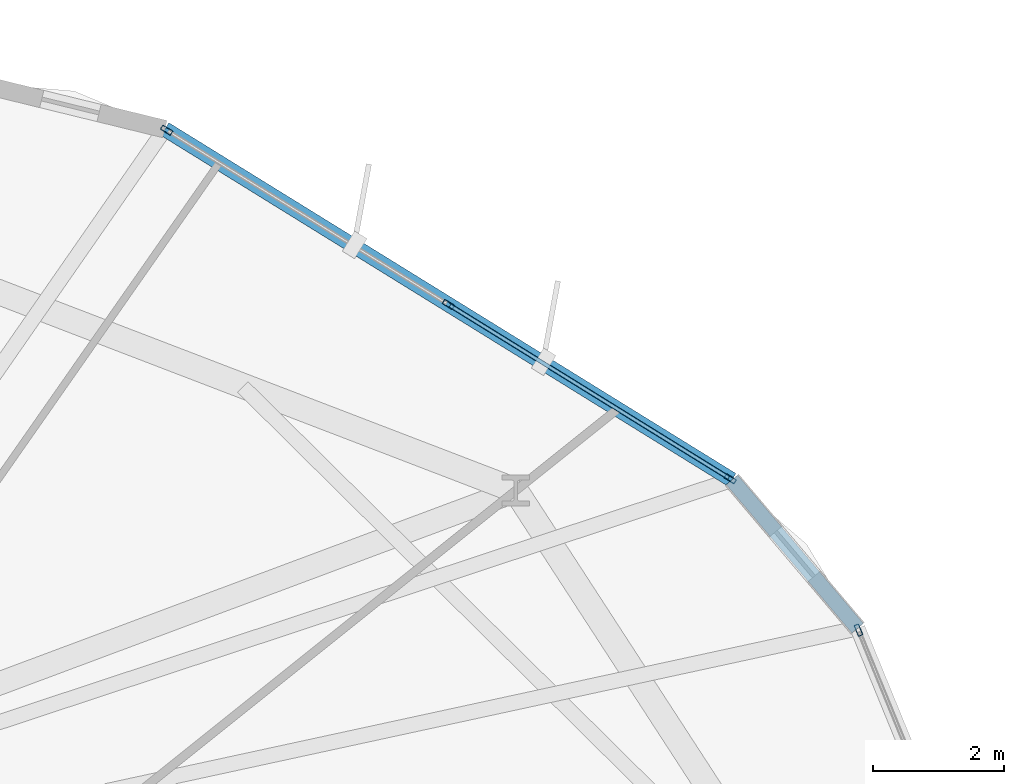
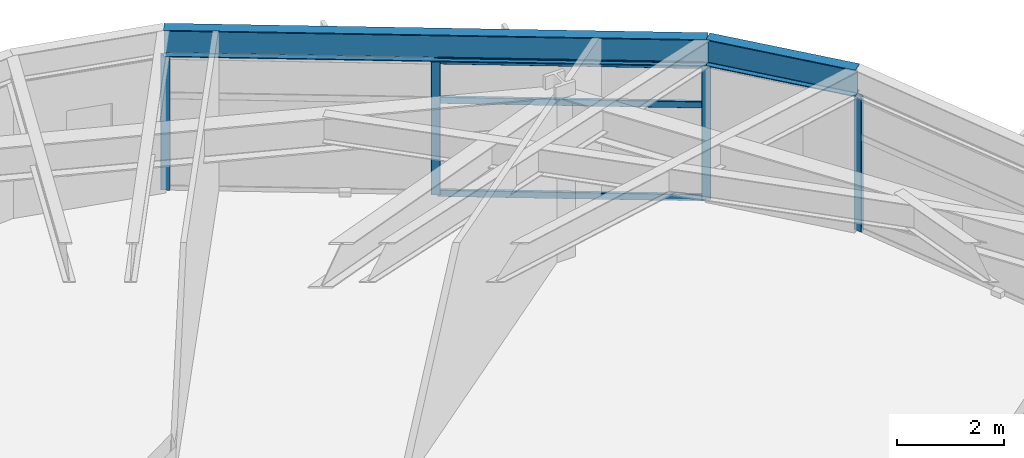
# One storey, part 14 of 22: 7 members, 2 beams, 2 elements without a shape of their own.
"""IFC4 building model written with IfcOpenShell, lengths in metres."""

from ifc_helpers import new_model, si_unit, direction, frame, origin, origin_2d, place, context, subcontext, project, spatial, hollow_rectangle, i_section, extrude, material, layer, layer_set, material_profile, profile_set, type_object, element, aggregate, save


model = new_model("IFC4")

# Units and contexts
model_context = context("Model", 3, precision=1e-05, world=origin(), true_north=direction((0.0, 1.0)))
body_context = subcontext(model_context, "Body", "Model", "MODEL_VIEW")
ifc_project = project(units=[si_unit("LENGTHUNIT", "METRE"), si_unit("AREAUNIT", "SQUARE_METRE"), si_unit("VOLUMEUNIT", "CUBIC_METRE"), si_unit("PLANEANGLEUNIT", "RADIAN"), si_unit("MASSUNIT", "GRAM", prefix="KILO")], contexts=[model_context])

# Site, building, storey
site_placement = place(None, origin())
site = spatial("IfcSite", under=ifc_project, at=site_placement, CompositionType="ELEMENT")
building_placement = place(site_placement, origin())
building = spatial("IfcBuilding", under=site, at=building_placement, Name="Soratama Intermodal Tower", CompositionType="ELEMENT")
storey_placement = place(building_placement, frame((0.0, 0.0, 46.60009765625)))
storey = spatial("IfcBuildingStorey", under=building, at=storey_placement, Name="L10", CompositionType="ELEMENT", Elevation=46.60009765625)

# Beams
ifc_material_1 = material(Name="Structural steel ASTM A992 Grade 50", Category="steel")
ifc_material_profile_1 = material_profile(ifc_material_1, i_section(OverallWidth=0.22900390625, OverallDepth=0.612060546875, WebThickness=0.011962890625, FlangeThickness=0.01953125, FilletRadius=0.012939453125, at=origin_2d()), Name="W24X84")
ifc_profile_set_1 = profile_set([ifc_material_profile_1], Name="Structural steel ASTM A992 Grade 50")
beam_type = type_object("IfcBeamType", Name="BM-SPN-W24X84", PredefinedType="SPANDREL", material=ifc_profile_set_1)
beam_1_placement = place(storey_placement, frame((61.993896484375, 37.447998046875, 3.393798828125), z_axis=(-0.646211517555, 0.763158354851, 0.0), x_axis=(-0.763158354851, -0.646211517555, 0.0)))
element("IfcBeam", 1, at=beam_1_placement, inside=storey, type_object=beam_type, Name="BS-L10-CRN01", PredefinedType="SPANDREL", context=body_context, shape_type="SweptSolid", body=[
    extrude(i_section(OverallWidth=0.22900390625, OverallDepth=0.612060546875, WebThickness=0.011962890625, FlangeThickness=0.01953125, FilletRadius=0.012939453125, at=origin_2d()), origin(), (0.0, 0.0, 1.0), 2.966552734375),
])
beam_2_placement = place(storey_placement, frame((60.076904296875, 39.7119140625, 3.393798828125), z_axis=(-0.850463684265, 0.526033764834, 0.0), x_axis=(-0.526033764834, -0.850463684265, 0.0)))
element("IfcBeam", 2, at=beam_2_placement, inside=storey, type_object=beam_type, Name="BS-L10-F02", PredefinedType="SPANDREL", context=body_context, shape_type="SweptSolid", body=[
    extrude(i_section(OverallWidth=0.22900390625, OverallDepth=0.612060546875, WebThickness=0.011962890625, FlangeThickness=0.01953125, FilletRadius=0.012939453125, at=origin_2d()), origin(), (0.0, 0.0, 1.0), 10.1650390625),
])

# Curtain wall, member
ifc_material_2 = material(Name="Double-glazed aluminium curtain wall", Category="aluminium")
ifc_layer = layer(ifc_material_2, 0.159912109375)
ifc_layer_set = layer_set([ifc_layer], Name="Double-glazed aluminium curtain wall")
curtain_wall_type = type_object("IfcCurtainWallType", Name="CW-SYS-2", PredefinedType="NOTDEFINED", material=ifc_layer_set)
curtain_wall_1_placement = place(storey_placement, origin())
curtain_wall_1 = element("IfcCurtainWall", 3, at=curtain_wall_1_placement, inside=storey, type_object=curtain_wall_type, Name="L10 Faceted Curtain Wall F01", PredefinedType="NOTDEFINED")
ifc_material_3 = material(Name="Anodised aluminium AA 6063-T6", Category="aluminium")
ifc_material_profile_2 = material_profile(ifc_material_3, hollow_rectangle(XDim=0.074951171875, YDim=0.179931640625, WallThickness=0.006103515625, InnerFilletRadius=0.006103515625, OuterFilletRadius=0.011962890625, at=origin_2d()), Name="CWM180X75X6")
ifc_profile_set_2 = profile_set([ifc_material_profile_2], Name="Anodised aluminium AA 6063-T6")
member_type_1 = type_object("IfcMemberType", Name="MT-CWM-2", PredefinedType="MULLION", material=ifc_profile_set_2)
member_1_placement = place(storey_placement, frame((62.005126953125, 37.419921875, 0.0), z_axis=(0.0, 0.0, 1.0), x_axis=(-0.925473287982, -0.378812873636, 0.0)))
member_1 = element("IfcMember", 4, at=member_1_placement, type_object=member_type_1, Name="CW-2 mullion 3", PredefinedType="MULLION", context=body_context, shape_type="SweptSolid", body=[
    extrude(hollow_rectangle(XDim=0.074951171875, YDim=0.179931640625, WallThickness=0.006103515625, InnerFilletRadius=0.006103515625, OuterFilletRadius=0.011962890625, at=origin_2d()), origin(), (0.0, 0.0, 1.0), 3.078857421875),
])
aggregate(curtain_wall_1, [member_1])

# Curtain wall, members
curtain_wall_2_placement = place(storey_placement, origin())
curtain_wall_2 = element("IfcCurtainWall", 5, at=curtain_wall_2_placement, inside=storey, type_object=curtain_wall_type, Name="L10 Faceted Curtain Wall F02", PredefinedType="NOTDEFINED")
member_2_placement = place(storey_placement, frame((60.05126953125, 39.727294921875, 0.0), z_axis=(0.0, 0.0, 1.0), x_axis=(-0.526058249289, -0.85044853951, 0.0)))
member_2 = element("IfcMember", 6, at=member_2_placement, type_object=member_type_1, Name="CW-2 mullion 1", PredefinedType="MULLION", context=body_context, shape_type="SweptSolid", body=[
    extrude(hollow_rectangle(XDim=0.074951171875, YDim=0.179931640625, WallThickness=0.006103515625, InnerFilletRadius=0.006103515625, OuterFilletRadius=0.011962890625, at=origin_2d()), origin(), (0.0, 0.0, 1.0), 3.078857421875),
])
member_3_placement = place(storey_placement, frame((55.754150390625, 42.38525390625, 0.0), z_axis=(0.0, 0.0, 1.0), x_axis=(-0.526058249289, -0.85044853951, 0.0)))
member_3 = element("IfcMember", 7, at=member_3_placement, type_object=member_type_1, Name="CW-2 mullion 2", PredefinedType="MULLION", context=body_context, shape_type="SweptSolid", body=[
    extrude(hollow_rectangle(XDim=0.074951171875, YDim=0.179931640625, WallThickness=0.006103515625, InnerFilletRadius=0.006103515625, OuterFilletRadius=0.011962890625, at=origin_2d()), origin(), (0.0, 0.0, 1.0), 3.078857421875),
])
member_4_placement = place(storey_placement, frame((51.457275390625, 45.043212890625, 0.0), z_axis=(0.0, 0.0, 1.0), x_axis=(-0.526058249289, -0.85044853951, 0.0)))
member_4 = element("IfcMember", 8, at=member_4_placement, type_object=member_type_1, Name="CW-2 mullion 3", PredefinedType="MULLION", context=body_context, shape_type="SweptSolid", body=[
    extrude(hollow_rectangle(XDim=0.074951171875, YDim=0.179931640625, WallThickness=0.006103515625, InnerFilletRadius=0.006103515625, OuterFilletRadius=0.011962890625, at=origin_2d()), origin(), (0.0, 0.0, 1.0), 3.078857421875),
])
ifc_material_4 = material(Name="Anodised aluminium AA 6063-T6", Category="aluminium")
ifc_material_profile_3 = material_profile(ifc_material_4, hollow_rectangle(XDim=0.06494140625, YDim=0.14990234375, WallThickness=0.0048828125, InnerFilletRadius=0.0048828125, OuterFilletRadius=0.010009765625, at=origin_2d()), Name="CWT150X65X5")
ifc_profile_set_3 = profile_set([ifc_material_profile_3], Name="Anodised aluminium AA 6063-T6")
member_type_2 = type_object("IfcMemberType", Name="TT-CWT-1", PredefinedType="USERDEFINED", material=ifc_profile_set_3)
member_5_placement = place(storey_placement, frame((60.025634765625, 39.7431640625, 0.02978515625), z_axis=(-0.850437056423, 0.526076812892, 0.0), x_axis=(-0.526076812892, -0.850437056423, 0.0)))
member_5 = element("IfcMember", 9, at=member_5_placement, type_object=member_type_2, Name="CW-2 transom 1.1", ObjectType="TRANSOM", PredefinedType="USERDEFINED", context=body_context, shape_type="SweptSolid", body=[
    extrude(hollow_rectangle(XDim=0.06494140625, YDim=0.14990234375, WallThickness=0.0048828125, InnerFilletRadius=0.0048828125, OuterFilletRadius=0.010009765625, at=origin_2d()), origin(), (0.0, 0.0, 1.0), 4.992431640625),
])
member_6_placement = place(storey_placement, frame((60.025634765625, 39.7431640625, 2.14990234375), z_axis=(-0.850437056423, 0.526076812892, 0.0), x_axis=(-0.526076812892, -0.850437056423, 0.0)))
member_6 = element("IfcMember", 10, at=member_6_placement, type_object=member_type_2, Name="CW-2 transom 1.2", ObjectType="TRANSOM", PredefinedType="USERDEFINED", context=body_context, shape_type="SweptSolid", body=[
    extrude(hollow_rectangle(XDim=0.06494140625, YDim=0.14990234375, WallThickness=0.0048828125, InnerFilletRadius=0.0048828125, OuterFilletRadius=0.010009765625, at=origin_2d()), origin(), (0.0, 0.0, 1.0), 4.992431640625),
])
member_7_placement = place(storey_placement, frame((60.025634765625, 39.7431640625, 3.048828125), z_axis=(-0.850437056423, 0.526076812892, 0.0), x_axis=(-0.526076812892, -0.850437056423, 0.0)))
member_7 = element("IfcMember", 11, at=member_7_placement, type_object=member_type_2, Name="CW-2 transom 1.3", ObjectType="TRANSOM", PredefinedType="USERDEFINED", context=body_context, shape_type="SweptSolid", body=[
    extrude(hollow_rectangle(XDim=0.06494140625, YDim=0.14990234375, WallThickness=0.0048828125, InnerFilletRadius=0.0048828125, OuterFilletRadius=0.010009765625, at=origin_2d()), origin(), (0.0, 0.0, 1.0), 4.992431640625),
])
aggregate(curtain_wall_2, [member_2, member_3, member_4, member_5, member_6, member_7])

save(model, "model.ifc")
